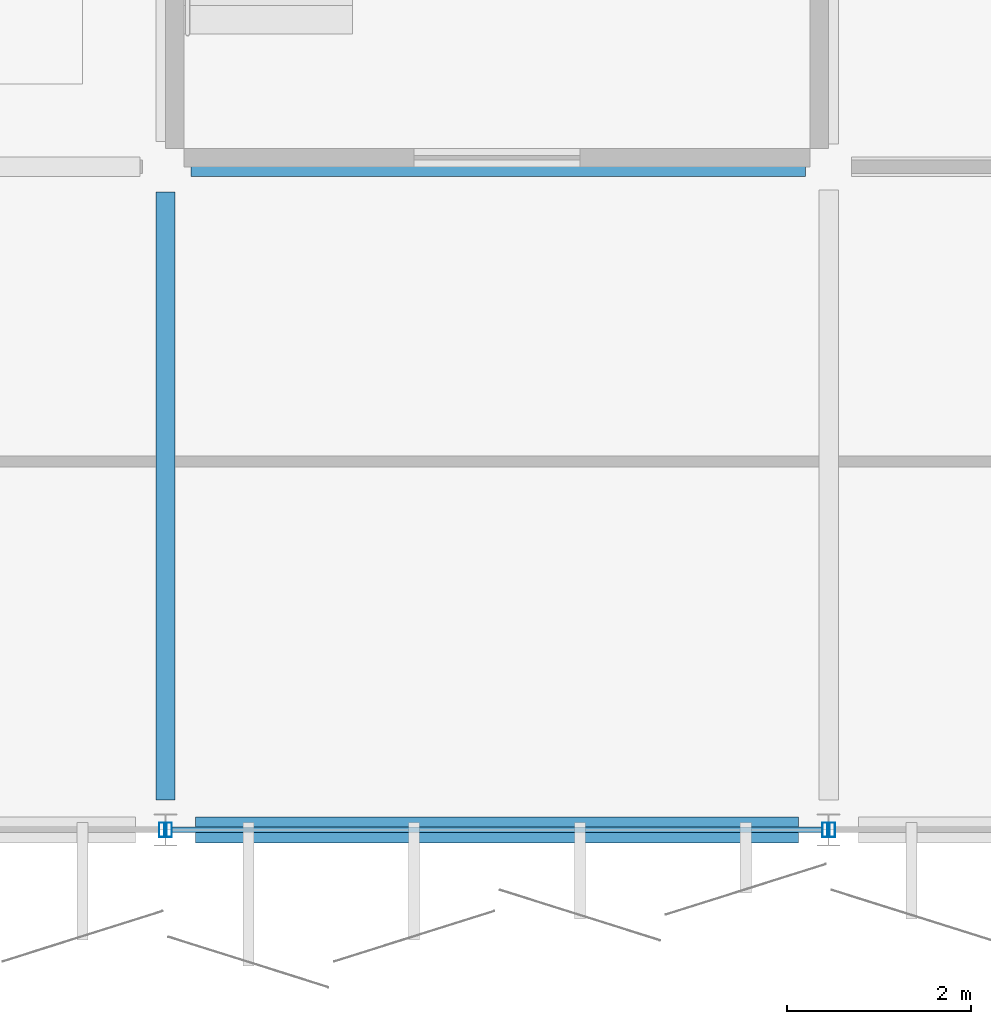
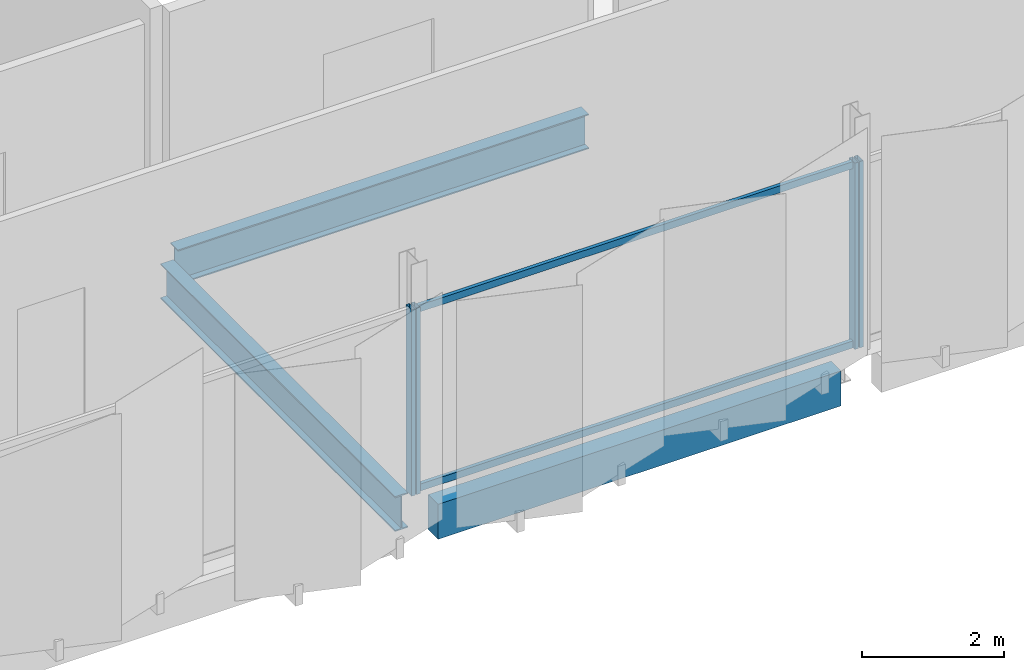
# One storey, part 49 of 91: 6 members, 3 beams, 3 elements without a shape of their own.
"""IFC4 building model written with IfcOpenShell, lengths in metres."""

from ifc_helpers import new_model, si_unit, direction, frame, origin, origin_2d, place, context, subcontext, project, spatial, rectangle, hollow_rectangle, i_section, extrude, material, layer, layer_set, material_profile, profile_set, type_object, element, aggregate, save


model = new_model("IFC4")

# Units and contexts
model_context = context("Model", 3, precision=1e-05, world=origin(), true_north=direction((0.0, 1.0)))
body_context = subcontext(model_context, "Body", "Model", "MODEL_VIEW")
ifc_project = project(units=[si_unit("LENGTHUNIT", "METRE"), si_unit("AREAUNIT", "SQUARE_METRE"), si_unit("VOLUMEUNIT", "CUBIC_METRE"), si_unit("PLANEANGLEUNIT", "RADIAN"), si_unit("MASSUNIT", "GRAM", prefix="KILO")], contexts=[model_context])

# Site, building, storey
site_placement = place(None, origin())
site = spatial("IfcSite", under=ifc_project, at=site_placement, CompositionType="ELEMENT")
building_placement = place(site_placement, origin())
building = spatial("IfcBuilding", under=site, at=building_placement, Name="Kangsadwip Square Police Headquarters", CompositionType="ELEMENT")
storey_placement = place(building_placement, frame((0.0, 0.0, 13.5)))
storey = spatial("IfcBuildingStorey", under=building, at=storey_placement, Name="L03", CompositionType="ELEMENT", Elevation=13.5)

# Curtain wall, member
ifc_material_1 = material(Name="Thermally broken anodised aluminium AW-6063-T6", Category="aluminium")
ifc_layer = layer(ifc_material_1, 0.159912109375)
ifc_layer_set = layer_set([ifc_layer], Name="Thermally broken anodised aluminium AW-6063-T6")
curtain_wall_type = type_object("IfcCurtainWallType", Name="CourtScreen7180x3200", PredefinedType="USERDEFINED", material=ifc_layer_set)
curtain_wall_1_placement = place(storey_placement, origin())
curtain_wall_1 = element("IfcCurtainWall", 1, at=curtain_wall_1_placement, inside=storey, type_object=curtain_wall_type, Name="Curtain Wall CW-L03-1224-0936", ObjectType="GLAZED_SCREEN", PredefinedType="USERDEFINED")
ifc_material_2 = material(Name="Thermally broken anodised aluminium AW-6063-T6", Category="aluminium")
ifc_material_profile_1 = material_profile(ifc_material_2, hollow_rectangle(XDim=0.06005859375, YDim=0.159912109375, WallThickness=0.00390625, at=origin_2d()), Name="CWM 160X60X4")
ifc_profile_set_1 = profile_set([ifc_material_profile_1], Name="Thermally broken anodised aluminium AW-6063-T6")
member_type_1 = type_object("IfcMemberType", Name="CwMullion135x60", PredefinedType="MULLION", material=ifc_profile_set_1)
member_1_placement = place(storey_placement, frame((129.56005859375, 93.60009765625, 0.0), z_axis=(0.0, 0.0, 1.0), x_axis=(1.0, 0.0, 0.0)))
member_1 = element("IfcMember", 2, at=member_1_placement, type_object=member_type_1, Name="CW-17 mullion 2", PredefinedType="MULLION", context=body_context, shape_type="SweptSolid", body=[
    extrude(hollow_rectangle(XDim=0.06005859375, YDim=0.159912109375, WallThickness=0.00390625, at=origin_2d()), origin(), (0.0, 0.0, 1.0), 3.199951171875),
])
aggregate(curtain_wall_1, [member_1])

# Curtain wall, members
curtain_wall_2_placement = place(storey_placement, origin())
curtain_wall_2 = element("IfcCurtainWall", 3, at=curtain_wall_2_placement, inside=storey, type_object=curtain_wall_type, Name="Curtain Wall CW-L03-1296-0936", ObjectType="GLAZED_SCREEN", PredefinedType="USERDEFINED")
member_2_placement = place(storey_placement, frame((129.639892578125, 93.60009765625, 0.0), z_axis=(0.0, 0.0, 1.0), x_axis=(1.0, 0.0, 0.0)))
member_2 = element("IfcMember", 4, at=member_2_placement, type_object=member_type_1, Name="CW-17 mullion 1", PredefinedType="MULLION", context=body_context, shape_type="SweptSolid", body=[
    extrude(hollow_rectangle(XDim=0.06005859375, YDim=0.159912109375, WallThickness=0.00390625, at=origin_2d()), origin(), (0.0, 0.0, 1.0), 3.199951171875),
])
member_3_placement = place(storey_placement, frame((136.760009765625, 93.60009765625, 0.0), z_axis=(0.0, 0.0, 1.0), x_axis=(1.0, 0.0, 0.0)))
member_3 = element("IfcMember", 5, at=member_3_placement, type_object=member_type_1, Name="CW-17 mullion 2", PredefinedType="MULLION", context=body_context, shape_type="SweptSolid", body=[
    extrude(hollow_rectangle(XDim=0.06005859375, YDim=0.159912109375, WallThickness=0.00390625, at=origin_2d()), origin(), (0.0, 0.0, 1.0), 3.199951171875),
])

# Curtain wall, member
curtain_wall_3_placement = place(storey_placement, origin())
curtain_wall_3 = element("IfcCurtainWall", 6, at=curtain_wall_3_placement, inside=storey, type_object=curtain_wall_type, Name="Curtain Wall CW-L03-1368-0936", ObjectType="GLAZED_SCREEN", PredefinedType="USERDEFINED")
member_4_placement = place(storey_placement, frame((136.840087890625, 93.60009765625, 0.0), z_axis=(0.0, 0.0, 1.0), x_axis=(1.0, 0.0, 0.0)))
member_4 = element("IfcMember", 7, at=member_4_placement, type_object=member_type_1, Name="CW-17 mullion 1", PredefinedType="MULLION", context=body_context, shape_type="SweptSolid", body=[
    extrude(hollow_rectangle(XDim=0.06005859375, YDim=0.159912109375, WallThickness=0.00390625, at=origin_2d()), origin(), (0.0, 0.0, 1.0), 3.199951171875),
])
aggregate(curtain_wall_3, [member_4])

# Member
ifc_material_3 = material(Name="Thermally broken anodised aluminium AW-6063-T6", Category="aluminium")
ifc_material_profile_2 = material_profile(ifc_material_3, hollow_rectangle(XDim=0.06005859375, YDim=0.1201171875, WallThickness=0.00390625, at=origin_2d()), Name="CWT 120X60X4")
ifc_profile_set_2 = profile_set([ifc_material_profile_2], Name="Thermally broken anodised aluminium AW-6063-T6")
member_type_2 = type_object("IfcMemberType", Name="CwTransom120x55", PredefinedType="USERDEFINED", material=ifc_profile_set_2)
member_5_placement = place(storey_placement, frame((129.669921875, 93.60009765625, 0.06005859375), z_axis=(1.0, 0.0, 0.0), x_axis=(0.0, 1.0, 0.0)))
member_5 = element("IfcMember", 8, at=member_5_placement, type_object=member_type_2, Name="CW-17 transom 1.1", ObjectType="TRANSOM", PredefinedType="USERDEFINED", context=body_context, shape_type="SweptSolid", body=[
    extrude(hollow_rectangle(XDim=0.06005859375, YDim=0.1201171875, WallThickness=0.00390625, at=origin_2d()), origin(), (0.0, 0.0, 1.0), 7.06005859375),
])

member_6_placement = place(storey_placement, frame((129.669921875, 93.60009765625, 3.139892578125), z_axis=(1.0, 0.0, 0.0), x_axis=(0.0, 1.0, 0.0)))
member_6 = element("IfcMember", 9, at=member_6_placement, type_object=member_type_2, Name="CW-17 transom 1.2", ObjectType="TRANSOM", PredefinedType="USERDEFINED", context=body_context, shape_type="SweptSolid", body=[
    extrude(hollow_rectangle(XDim=0.06005859375, YDim=0.1201171875, WallThickness=0.00390625, at=origin_2d()), origin(), (0.0, 0.0, 1.0), 7.06005859375),
])

aggregate(curtain_wall_2, [member_2, member_3, member_5, member_6])

# Beams
ifc_material_4 = material(Name="Concrete M40 (40 MPa)", Category="concrete")
ifc_material_profile_3 = material_profile(ifc_material_4, rectangle(XDim=0.280029296875, YDim=0.60009765625, at=origin_2d()), Name="RC SPN 600X280")
ifc_profile_set_3 = profile_set([ifc_material_profile_3], Name="Concrete M40 (40 MPa)")
beam_type_1 = type_object("IfcBeamType", Name="RcSpandrel600x280", PredefinedType="SPANDREL", material=ifc_profile_set_3)
beam_1_placement = place(storey_placement, frame((129.925048828125, 93.60009765625, -0.5400390625), z_axis=(1.0, 0.0, 0.0), x_axis=(0.0, 1.0, 0.0)))
element("IfcBeam", 10, at=beam_1_placement, inside=storey, type_object=beam_type_1, Name="Beam BM-L03-X-18-13", PredefinedType="SPANDREL", context=body_context, shape_type="SweptSolid", body=[
    extrude(rectangle(XDim=0.280029296875, YDim=0.60009765625, at=origin_2d()), origin(), (0.0, 0.0, 1.0), 6.550048828125),
])
ifc_material_5 = material(Name="Structural steel IS 2062 E350 (Grade 350, 350 MPa)", Category="steel")
ifc_material_profile_4 = material_profile(ifc_material_5, i_section(OverallWidth=0.2099609375, OverallDepth=0.60009765625, WebThickness=0.011962890625, FlangeThickness=0.020751953125, at=origin_2d()), Name="ISMB 600")
ifc_profile_set_4 = profile_set([ifc_material_profile_4], Name="Structural steel IS 2062 E350 (Grade 350, 350 MPa)")
beam_type_2 = type_object("IfcBeamType", Name="SteelBeamIsmb600", PredefinedType="BEAM", material=ifc_profile_set_4)
beam_2_placement = place(storey_placement, frame((129.875, 100.800048828125, -0.5400390625), z_axis=(1.0, 0.0, 0.0), x_axis=(0.0, 1.0, 0.0)))
element("IfcBeam", 11, at=beam_2_placement, inside=storey, type_object=beam_type_2, Name="Beam BM-L03-X-18-14", PredefinedType="BEAM", context=body_context, shape_type="SweptSolid", body=[
    extrude(i_section(OverallWidth=0.2099609375, OverallDepth=0.60009765625, WebThickness=0.011962890625, FlangeThickness=0.020751953125, at=origin_2d()), origin(), (0.0, 0.0, 1.0), 6.675048828125),
])
beam_3_placement = place(storey_placement, frame((129.60009765625, 93.925048828125, -0.5400390625), z_axis=(0.0, 1.0, 0.0), x_axis=(-1.0, 0.0, 0.0)))
element("IfcBeam", 12, at=beam_3_placement, inside=storey, type_object=beam_type_2, Name="Beam BM-L03-Y-18-13", PredefinedType="BEAM", context=body_context, shape_type="SweptSolid", body=[
    extrude(i_section(OverallWidth=0.2099609375, OverallDepth=0.60009765625, WebThickness=0.011962890625, FlangeThickness=0.020751953125, at=origin_2d()), origin(), (0.0, 0.0, 1.0), 6.599853515625),
])

save(model, "model.ifc")
